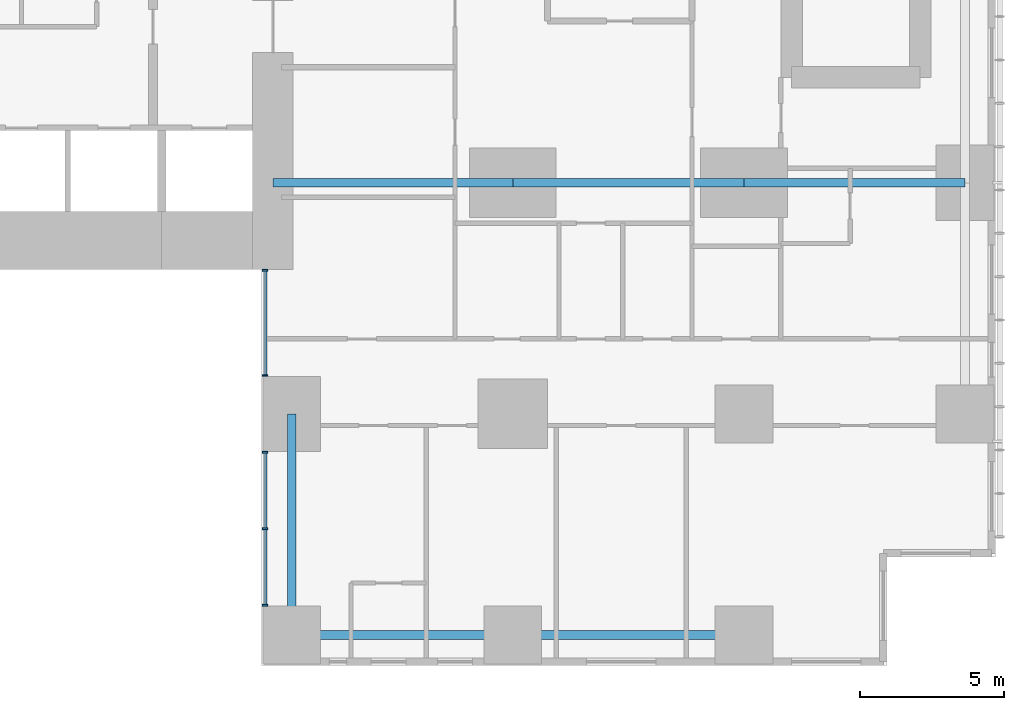
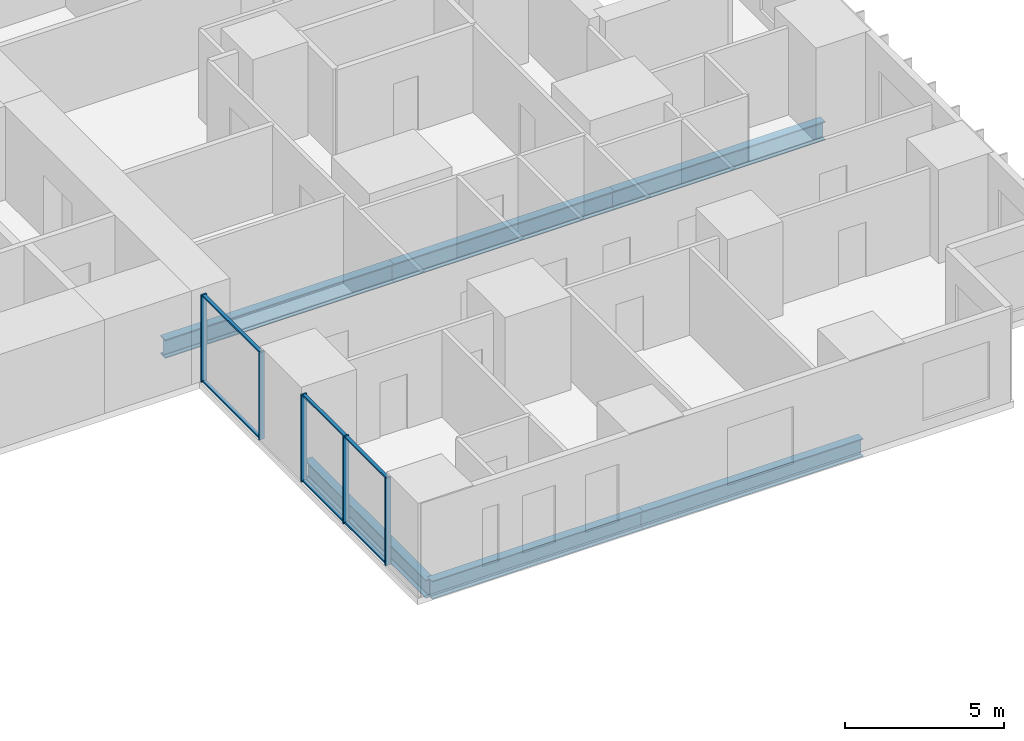
# One storey, part 3 of 20: 11 members, 6 beams, 2 elements without a shape of their own.
"""IFC4 building model written with IfcOpenShell, lengths in metres."""

import ifcopenshell
import ifcopenshell.guid

model = None  # the IFC model being written
_history = None  # IfcOwnerHistory: only IFC2X3 demands one
_inside = {}  # id of a spatial element -> (the spatial element, [elements in it])
_under = {}  # id of a project, library or spatial element -> (it, [spatial elements below it])
_declared = {}  # id of a project -> (the project, [libraries it declares])
_typed = {}  # id of a type object -> (the type object, [elements of that type])
_made_of = {}  # id of a material, layer set ... -> (it, [elements and type objects made of it])


def new_model(schema):
    """Start an empty IFC model of exactly this schema.

    Asked for "IFC4X3", IfcOpenShell would pick the latest addendum, in which some entities
    have other attributes; the version numbers below select the first issue.
    IFC2X3 requires an IfcOwnerHistory on every rooted entity: one is made here for all.
    """
    global model, _history
    if schema == "IFC4X3":
        model = ifcopenshell.file(schema_version=(4, 3, 0, 0))
    else:
        model = ifcopenshell.file(schema=schema)
    _inside.clear()
    _under.clear()
    _declared.clear()
    _typed.clear()
    _made_of.clear()
    _history = None
    if model.schema == "IFC2X3":
        org = make("IfcOrganization", Name="unknown")
        user = make(
            "IfcPersonAndOrganization",
            ThePerson=make("IfcPerson", FamilyName="unknown"),
            TheOrganization=org,
        )
        app = make(
            "IfcApplication",
            ApplicationDeveloper=org,
            Version="unknown",
            ApplicationFullName="unknown",
            ApplicationIdentifier="unknown",
        )
        _history = make(
            "IfcOwnerHistory",
            OwningUser=user,
            OwningApplication=app,
            ChangeAction="ADDED",
            CreationDate=0,
        )
    return model


def make(cls, **values):
    """One entity of the class cls with the attributes given. An attribute that is None is left unset."""
    return model.create_entity(
        cls, **{name: value for name, value in values.items() if value is not None}
    )


def rooted(cls, **values):
    """An entity with a GlobalId (a new one), such as an element, a storey or a relation."""
    return make(cls, GlobalId=ifcopenshell.guid.new(), OwnerHistory=_history, **values)


def si_unit(unit_type, name, prefix=None):
    """IfcSIUnit, for example si_unit("LENGTHUNIT", "METRE", prefix="MILLI")."""
    return make("IfcSIUnit", UnitType=unit_type, Prefix=prefix, Name=name)


def assignment(units):
    """IfcUnitAssignment: the units of a project."""
    return None if units is None else make("IfcUnitAssignment", Units=units)


def point(xyz):
    """IfcCartesianPoint."""
    return None if xyz is None else make("IfcCartesianPoint", Coordinates=xyz)


def direction(xyz):
    """IfcDirection."""
    return None if xyz is None else make("IfcDirection", DirectionRatios=xyz)


def frame(location, z_axis=None, x_axis=None):
    """IfcAxis2Placement3D, a coordinate frame: its origin and axes. An axis left out is left unset."""
    return make(
        "IfcAxis2Placement3D",
        Location=point(location),
        Axis=direction(z_axis),
        RefDirection=direction(x_axis),
    )


def frame_2d(location, x_axis=None):
    """IfcAxis2Placement2D, a coordinate frame in the plane: its origin and x axis."""
    return make(
        "IfcAxis2Placement2D", Location=point(location), RefDirection=direction(x_axis)
    )


def origin():
    """The frame at (0, 0, 0) with its axes left unset."""
    return frame((0.0, 0.0, 0.0))


def origin_2d():
    """The frame at (0, 0) in the plane with its x axis left unset."""
    return frame_2d((0.0, 0.0))


def place(relative_to, where):
    """IfcLocalPlacement: puts the frame where relative to a parent placement (None: the world)."""
    return make(
        "IfcLocalPlacement", PlacementRelTo=relative_to, RelativePlacement=where
    )


def context(
    kind, dimensions, precision=None, world=None, true_north=None, identifier=None
):
    """IfcGeometricRepresentationContext, for example the 3D "Model" context."""
    return make(
        "IfcGeometricRepresentationContext",
        ContextIdentifier=identifier,
        ContextType=kind,
        CoordinateSpaceDimension=dimensions,
        Precision=precision,
        WorldCoordinateSystem=world,
        TrueNorth=true_north,
    )


def subcontext(parent, identifier, kind, view, scale=None):
    """IfcGeometricRepresentationSubContext, for example "Body" below "Model"."""
    return make(
        "IfcGeometricRepresentationSubContext",
        ContextIdentifier=identifier,
        ContextType=kind,
        ParentContext=parent,
        TargetScale=scale,
        TargetView=view,
    )


def project(units=None, contexts=None):
    """IfcProject with its units and contexts."""
    return rooted(
        "IfcProject",
        Name="project",
        RepresentationContexts=contexts,
        UnitsInContext=assignment(units),
    )


def spatial(cls, under=None, at=None, **own):
    """A site, building, storey or space (cls), placed at a placement, below another one or the project."""
    s = rooted(cls, ObjectPlacement=at, **own)
    if under is not None:
        _under.setdefault(under.id(), (under, []))[1].append(s)
    return s


def profile(cls, at=None, kind="AREA", **sizes):
    """A parametric profile (cls). Its sizes go by their IFC names, for example OverallWidth=200.0."""
    return make(cls, ProfileType=kind, Position=at, **sizes)


def rectangle(**sizes):
    """IfcRectangleProfileDef."""
    return profile("IfcRectangleProfileDef", **sizes)


def i_section(**sizes):
    """IfcIShapeProfileDef."""
    return profile("IfcIShapeProfileDef", **sizes)


def extrude(swept, where, along, depth):
    """IfcExtrudedAreaSolid: the profile swept, set in the frame where, extruded along a direction by depth."""
    return make(
        "IfcExtrudedAreaSolid",
        SweptArea=swept,
        Position=where,
        ExtrudedDirection=direction(along),
        Depth=depth,
    )


def shape(context_of_items, identifier, shape_type, items):
    """IfcShapeRepresentation: the items that make up one representation, for example the "Body"."""
    return make(
        "IfcShapeRepresentation",
        ContextOfItems=context_of_items,
        RepresentationIdentifier=identifier,
        RepresentationType=shape_type,
        Items=items,
    )


def material(Name=None, Category=None):
    """IfcMaterial."""
    return make("IfcMaterial", Name=Name, Category=Category)


def layer(
    of_material, thickness, ventilated=None, Name=None, Category=None, Priority=None
):
    """IfcMaterialLayer: one layer of a wall or slab, of a material (None: an air gap)."""
    return make(
        "IfcMaterialLayer",
        Material=of_material,
        LayerThickness=thickness,
        IsVentilated=ventilated,
        Name=Name,
        Category=Category,
        Priority=Priority,
    )


def layer_set(layers, Name=None):
    """IfcMaterialLayerSet."""
    return make("IfcMaterialLayerSet", MaterialLayers=layers, LayerSetName=Name)


def material_profile(
    of_material, cross_section, Name=None, Category=None, Priority=None
):
    """IfcMaterialProfile: a cross section and its material."""
    return make(
        "IfcMaterialProfile",
        Name=Name,
        Material=of_material,
        Profile=cross_section,
        Priority=Priority,
        Category=Category,
    )


def profile_set(profiles, Name=None, composite=None):
    """IfcMaterialProfileSet."""
    return make(
        "IfcMaterialProfileSet",
        Name=Name,
        MaterialProfiles=profiles,
        CompositeProfile=composite,
    )


def made_of(thing, what):
    """Note that an element or type object is made of a material, layer set ...; save() writes the relation."""
    if what is not None:
        _made_of.setdefault(what.id(), (what, []))[1].append(thing)
    return thing


def type_object(cls, material=None, **own):
    """A type object (cls), such as IfcWallType, which elements share."""
    return made_of(rooted(cls, **own), material)


def element(
    cls,
    number,
    at=None,
    inside=None,
    cuts=None,
    type_object=None,
    material=None,
    context=None,
    identifier="Body",
    shape_type=None,
    held_by="IfcProductDefinitionShape",
    body=None,
    shapes=None,
    **own,
):
    """One element of the class cls, such as IfcWall. Its Tag is "e" and its number.

    at: its placement. inside: the storey or other place that contains it. cuts: it is an
    opening in that element (IfcRelVoidsElement). A single representation is given by context,
    identifier, shape_type and body (its items); several are given by shapes. held_by: the class
    of the entity that holds the representations. save() writes the other relations.
    """
    e = rooted(cls, Tag="e%d" % number, ObjectPlacement=at, **own)
    if body is not None:
        shapes = [shape(context, identifier, shape_type, body)]
    if shapes is not None:
        e.Representation = make(held_by, Representations=shapes)
    if inside is not None:
        _inside.setdefault(inside.id(), (inside, []))[1].append(e)
    if cuts is not None:
        rooted(
            "IfcRelVoidsElement", RelatingBuildingElement=cuts, RelatedOpeningElement=e
        )
    if type_object is not None:
        _typed.setdefault(type_object.id(), (type_object, []))[1].append(e)
    return made_of(e, material)


def aggregate(whole, parts):
    """IfcRelAggregates: a whole, such as a stair, and the parts it consists of."""
    return rooted("IfcRelAggregates", RelatingObject=whole, RelatedObjects=parts)


def save(model, path):
    """Write the relations noted so far, then the file.

    IfcRelAggregates (storeys below a building ...), IfcRelContainedInSpatialStructure (elements
    in a storey), IfcRelDefinesByType, IfcRelAssociatesMaterial and IfcRelDeclares: one each for
    every whole, place, type object, material and project.
    """
    for whole, parts in _under.values():
        aggregate(whole, parts)
    for where, things in _inside.values():
        rooted(
            "IfcRelContainedInSpatialStructure",
            RelatedElements=things,
            RelatingStructure=where,
        )
    for kind, things in _typed.values():
        rooted("IfcRelDefinesByType", RelatedObjects=things, RelatingType=kind)
    for what, things in _made_of.values():
        rooted("IfcRelAssociatesMaterial", RelatedObjects=things, RelatingMaterial=what)
    for by, libraries in _declared.values():
        rooted("IfcRelDeclares", RelatingContext=by, RelatedDefinitions=libraries)
    model.write(path)


model = new_model("IFC4")

# Units and contexts
model_context = context("Model", 3, precision=1e-05, world=origin(), true_north=direction((0.0, 1.0)))
body_context = subcontext(model_context, "Body", "Model", "MODEL_VIEW")
ifc_project = project(units=[si_unit("LENGTHUNIT", "METRE"), si_unit("AREAUNIT", "SQUARE_METRE"), si_unit("VOLUMEUNIT", "CUBIC_METRE"), si_unit("PLANEANGLEUNIT", "RADIAN"), si_unit("MASSUNIT", "GRAM", prefix="KILO")], contexts=[model_context])

# Site, building, storey
site_placement = place(None, origin())
site = spatial("IfcSite", under=ifc_project, at=site_placement, CompositionType="ELEMENT")
building_placement = place(site_placement, origin())
building = spatial("IfcBuilding", under=site, at=building_placement, Name="Cleftline Residences", CompositionType="ELEMENT")
storey_placement = place(building_placement, frame((0.0, 0.0, 110.60009765625)))
storey = spatial("IfcBuildingStorey", under=building, at=storey_placement, Name="L28", CompositionType="ELEMENT", Elevation=110.60009765625)

# Beams
ifc_material_1 = material(Name="Steel S355", Category="steel")
ifc_material_profile_1 = material_profile(ifc_material_1, i_section(OverallWidth=0.300048828125, OverallDepth=0.699951171875, WebThickness=0.01708984375, FlangeThickness=0.031982421875, FilletRadius=0.027099609375, at=origin_2d()))
ifc_profile_set_1 = profile_set([ifc_material_profile_1], Name="Steel S355")
beam_type_1 = type_object("IfcBeamType", Name="BEAM HEB 700", PredefinedType="BEAM", material=ifc_profile_set_1)
beam_1_placement = place(storey_placement, frame((58.0, 0.35009765625, -0.60009765625), z_axis=(-1.0, 0.0, 0.0), x_axis=(0.0, -1.0, 0.0)))
element("IfcBeam", 1, at=beam_1_placement, inside=storey, type_object=beam_type_1, Name="Edge beam", PredefinedType="BEAM", context=body_context, shape_type="SweptSolid", body=[
    extrude(i_section(OverallWidth=0.300048828125, OverallDepth=0.699951171875, WebThickness=0.01708984375, FlangeThickness=0.031982421875, FilletRadius=0.027099609375, at=origin_2d()), origin(), (0.0, 0.0, 1.0), 8.0),
])
for number, where, z_axis, x_axis, name in (
    (2, (50.0, 0.35009765625, -0.60009765625), (-1.0, 0.0, 0.0), (0.0, -1.0, 0.0), "Edge beam"),
    (3, (42.35009765625, 0.35009765625, -0.60009765625), (0.0, 1.0, 0.0), (-1.0, 0.0, 0.0), "Edge beam"),
):
    element("IfcBeam", number, at=place(storey_placement, frame(where, z_axis=z_axis, x_axis=x_axis)), inside=storey, type_object=beam_type_1, Name=name, PredefinedType="BEAM", context=body_context, shape_type="SweptSolid", body=[
        extrude(i_section(OverallWidth=0.300048828125, OverallDepth=0.699951171875, WebThickness=0.01708984375, FlangeThickness=0.031982421875, FilletRadius=0.027099609375, at=origin_2d()), origin(), (0.0, 0.0, 1.0), 7.64990234375),
    ])
ifc_material_2 = material(Name="Steel S355", Category="steel")
ifc_material_profile_2 = material_profile(ifc_material_2, i_section(OverallWidth=0.303955078125, OverallDepth=0.716064453125, WebThickness=0.02099609375, FlangeThickness=0.0400390625, FilletRadius=0.027099609375, at=origin_2d()))
ifc_profile_set_2 = profile_set([ifc_material_profile_2], Name="Steel S355")
beam_type_2 = type_object("IfcBeamType", Name="BEAM HEM 700", PredefinedType="BEAM", material=ifc_profile_set_2)
beam_2_placement = place(storey_placement, frame((65.64990234375, 16.0, -0.608154296875), z_axis=(-1.0, 0.0, 0.0), x_axis=(0.0, -1.0, 0.0)))
element("IfcBeam", 4, at=beam_2_placement, inside=storey, type_object=beam_type_2, Name="Band beam", PredefinedType="BEAM", context=body_context, shape_type="SweptSolid", body=[
    extrude(i_section(OverallWidth=0.303955078125, OverallDepth=0.716064453125, WebThickness=0.02099609375, FlangeThickness=0.0400390625, FilletRadius=0.027099609375, at=origin_2d()), origin(), (0.0, 0.0, 1.0), 7.64990234375),
])
beam_3_placement = place(storey_placement, frame((58.0, 16.0, -0.608154296875), z_axis=(-1.0, 0.0, 0.0), x_axis=(0.0, -1.0, 0.0)))
element("IfcBeam", 5, at=beam_3_placement, inside=storey, type_object=beam_type_2, Name="Band beam", PredefinedType="BEAM", context=body_context, shape_type="SweptSolid", body=[
    extrude(i_section(OverallWidth=0.303955078125, OverallDepth=0.716064453125, WebThickness=0.02099609375, FlangeThickness=0.0400390625, FilletRadius=0.027099609375, at=origin_2d()), origin(), (0.0, 0.0, 1.0), 8.0),
])
beam_4_placement = place(storey_placement, frame((50.0, 16.0, -0.608154296875), z_axis=(-1.0, 0.0, 0.0), x_axis=(0.0, -1.0, 0.0)))
element("IfcBeam", 6, at=beam_4_placement, inside=storey, type_object=beam_type_2, Name="Band beam", PredefinedType="BEAM", context=body_context, shape_type="SweptSolid", body=[
    extrude(i_section(OverallWidth=0.303955078125, OverallDepth=0.716064453125, WebThickness=0.02099609375, FlangeThickness=0.0400390625, FilletRadius=0.027099609375, at=origin_2d()), origin(), (0.0, 0.0, 1.0), 8.300048828125),
])

# Curtain wall, members
ifc_material_3 = material(Name="Aluminium framed curtain wall", Category="aluminium")
ifc_layer = layer(ifc_material_3, 0.199951171875)
ifc_layer_set = layer_set([ifc_layer], Name="CW1 CLEFT GLAZING")
curtain_wall_type = type_object("IfcCurtainWallType", Name="CW1 CLEFT GLAZING", PredefinedType="NOTDEFINED", material=ifc_layer_set)
curtain_wall_1_placement = place(storey_placement, origin())
curtain_wall_1 = element("IfcCurtainWall", 7, at=curtain_wall_1_placement, inside=storey, type_object=curtain_wall_type, Name="Curtain wall CW1", PredefinedType="NOTDEFINED")
ifc_material_4 = material(Name="Aluminium mullion", Category="aluminium")
ifc_material_profile_3 = material_profile(ifc_material_4, rectangle(XDim=0.199951171875, YDim=0.06005859375, at=origin_2d()))
ifc_profile_set_3 = profile_set([ifc_material_profile_3], Name="Aluminium mullion")
member_type_1 = type_object("IfcMemberType", Name="CW1 MULLION", PredefinedType="MULLION", material=ifc_profile_set_3)
member_1_placement = place(storey_placement, frame((41.425048828125, 12.969970703125, 0.0), z_axis=(0.0, 0.0, 1.0), x_axis=(1.0, 0.0, 0.0)))
member_1 = element("IfcMember", 8, at=member_1_placement, type_object=member_type_1, Name="CW1 mullion 1", PredefinedType="MULLION", context=body_context, shape_type="SweptSolid", body=[
    extrude(rectangle(XDim=0.199951171875, YDim=0.06005859375, at=origin_2d()), origin(), (0.0, 0.0, 1.0), 3.349853515625),
])
member_2_placement = place(storey_placement, frame((41.425048828125, 9.330078125, 0.0), z_axis=(0.0, 0.0, 1.0), x_axis=(1.0, 0.0, 0.0)))
member_2 = element("IfcMember", 9, at=member_2_placement, type_object=member_type_1, Name="CW1 mullion 2", PredefinedType="MULLION", context=body_context, shape_type="SweptSolid", body=[
    extrude(rectangle(XDim=0.199951171875, YDim=0.06005859375, at=origin_2d()), origin(), (0.0, 0.0, 1.0), 3.349853515625),
])

curtain_wall_2_placement = place(storey_placement, origin())
curtain_wall_2 = element("IfcCurtainWall", 10, at=curtain_wall_2_placement, inside=storey, type_object=curtain_wall_type, Name="Curtain wall CW1", PredefinedType="NOTDEFINED")
member_3_placement = place(storey_placement, frame((41.425048828125, 6.669921875, 0.0), z_axis=(0.0, 0.0, 1.0), x_axis=(1.0, 0.0, 0.0)))
member_3 = element("IfcMember", 11, at=member_3_placement, type_object=member_type_1, Name="CW1 mullion 1", PredefinedType="MULLION", context=body_context, shape_type="SweptSolid", body=[
    extrude(rectangle(XDim=0.199951171875, YDim=0.06005859375, at=origin_2d()), origin(), (0.0, 0.0, 1.0), 3.349853515625),
])
member_4_placement = place(storey_placement, frame((41.425048828125, 4.02490234375, 0.0), z_axis=(0.0, 0.0, 1.0), x_axis=(1.0, 0.0, 0.0)))
member_4 = element("IfcMember", 12, at=member_4_placement, type_object=member_type_1, Name="CW1 mullion 2", PredefinedType="MULLION", context=body_context, shape_type="SweptSolid", body=[
    extrude(rectangle(XDim=0.199951171875, YDim=0.06005859375, at=origin_2d()), origin(), (0.0, 0.0, 1.0), 3.349853515625),
])
member_5_placement = place(storey_placement, frame((41.425048828125, 1.3798828125, 0.0), z_axis=(0.0, 0.0, 1.0), x_axis=(1.0, 0.0, 0.0)))
member_5 = element("IfcMember", 13, at=member_5_placement, type_object=member_type_1, Name="CW1 mullion 3", PredefinedType="MULLION", context=body_context, shape_type="SweptSolid", body=[
    extrude(rectangle(XDim=0.199951171875, YDim=0.06005859375, at=origin_2d()), origin(), (0.0, 0.0, 1.0), 3.349853515625),
])

# Member
ifc_material_5 = material(Name="Aluminium transom", Category="aluminium")
ifc_material_profile_4 = material_profile(ifc_material_5, rectangle(XDim=0.1201171875, YDim=0.06005859375, at=origin_2d()))
ifc_profile_set_4 = profile_set([ifc_material_profile_4], Name="Aluminium transom")
member_type_2 = type_object("IfcMemberType", Name="CW1 TRANSOM", PredefinedType="USERDEFINED", material=ifc_profile_set_4)
member_6_placement = place(storey_placement, frame((41.425048828125, 12.93994140625, 0.02978515625), z_axis=(0.0, -1.0, 0.0), x_axis=(1.0, 0.0, 0.0)))
member_6 = element("IfcMember", 14, at=member_6_placement, type_object=member_type_2, Name="CW1 transom 1.1", ObjectType="TRANSOM", PredefinedType="USERDEFINED", context=body_context, shape_type="SweptSolid", body=[
    extrude(rectangle(XDim=0.1201171875, YDim=0.06005859375, at=origin_2d()), origin(), (0.0, 0.0, 1.0), 3.579833984375),
])

member_7_placement = place(storey_placement, frame((41.425048828125, 12.93994140625, 3.31982421875), z_axis=(0.0, -1.0, 0.0), x_axis=(1.0, 0.0, 0.0)))
member_7 = element("IfcMember", 15, at=member_7_placement, type_object=member_type_2, Name="CW1 transom 1.2", ObjectType="TRANSOM", PredefinedType="USERDEFINED", context=body_context, shape_type="SweptSolid", body=[
    extrude(rectangle(XDim=0.1201171875, YDim=0.06005859375, at=origin_2d()), origin(), (0.0, 0.0, 1.0), 3.579833984375),
])

aggregate(curtain_wall_1, [member_1, member_2, member_6, member_7])

member_8_placement = place(storey_placement, frame((41.425048828125, 6.639892578125, 0.02978515625), z_axis=(0.0, -1.0, 0.0), x_axis=(1.0, 0.0, 0.0)))
member_8 = element("IfcMember", 16, at=member_8_placement, type_object=member_type_2, Name="CW1 transom 1.1", ObjectType="TRANSOM", PredefinedType="USERDEFINED", context=body_context, shape_type="SweptSolid", body=[
    extrude(rectangle(XDim=0.1201171875, YDim=0.06005859375, at=origin_2d()), origin(), (0.0, 0.0, 1.0), 2.5849609375),
])

member_9_placement = place(storey_placement, frame((41.425048828125, 6.639892578125, 3.31982421875), z_axis=(0.0, -1.0, 0.0), x_axis=(1.0, 0.0, 0.0)))
member_9 = element("IfcMember", 17, at=member_9_placement, type_object=member_type_2, Name="CW1 transom 1.2", ObjectType="TRANSOM", PredefinedType="USERDEFINED", context=body_context, shape_type="SweptSolid", body=[
    extrude(rectangle(XDim=0.1201171875, YDim=0.06005859375, at=origin_2d()), origin(), (0.0, 0.0, 1.0), 2.5849609375),
])

member_10_placement = place(storey_placement, frame((41.425048828125, 3.9951171875, 0.02978515625), z_axis=(0.0, -1.0, 0.0), x_axis=(1.0, 0.0, 0.0)))
member_10 = element("IfcMember", 18, at=member_10_placement, type_object=member_type_2, Name="CW1 transom 2.1", ObjectType="TRANSOM", PredefinedType="USERDEFINED", context=body_context, shape_type="SweptSolid", body=[
    extrude(rectangle(XDim=0.1201171875, YDim=0.06005859375, at=origin_2d()), origin(), (0.0, 0.0, 1.0), 2.585205078125),
])

member_11_placement = place(storey_placement, frame((41.425048828125, 3.9951171875, 3.31982421875), z_axis=(0.0, -1.0, 0.0), x_axis=(1.0, 0.0, 0.0)))
member_11 = element("IfcMember", 19, at=member_11_placement, type_object=member_type_2, Name="CW1 transom 2.2", ObjectType="TRANSOM", PredefinedType="USERDEFINED", context=body_context, shape_type="SweptSolid", body=[
    extrude(rectangle(XDim=0.1201171875, YDim=0.06005859375, at=origin_2d()), origin(), (0.0, 0.0, 1.0), 2.585205078125),
])

aggregate(curtain_wall_2, [member_3, member_4, member_5, member_8, member_9, member_10, member_11])

save(model, "model.ifc")
